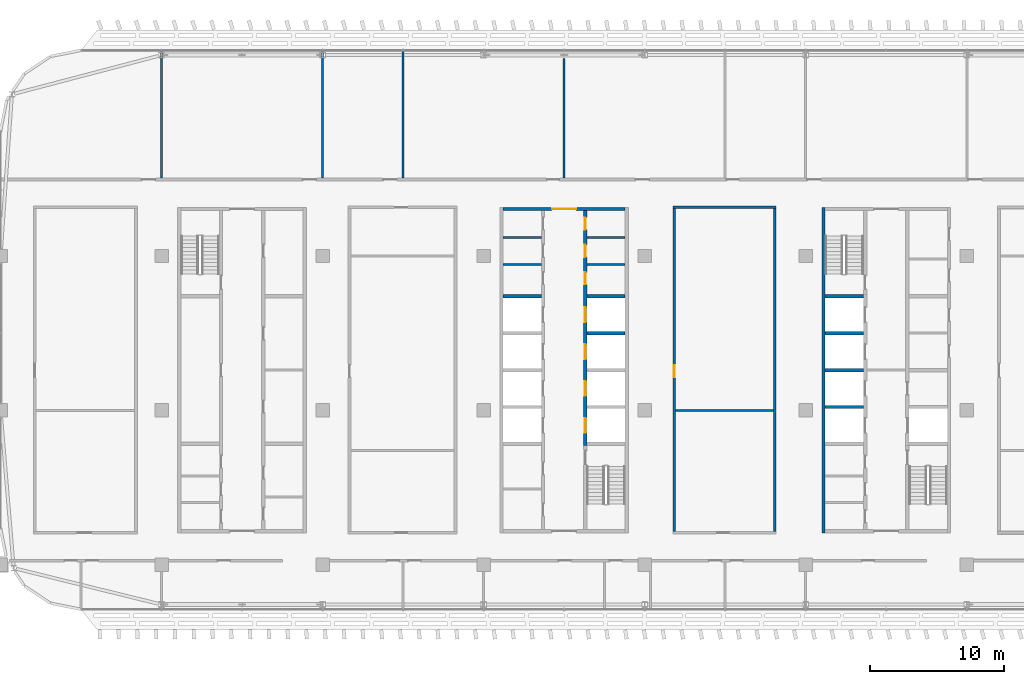
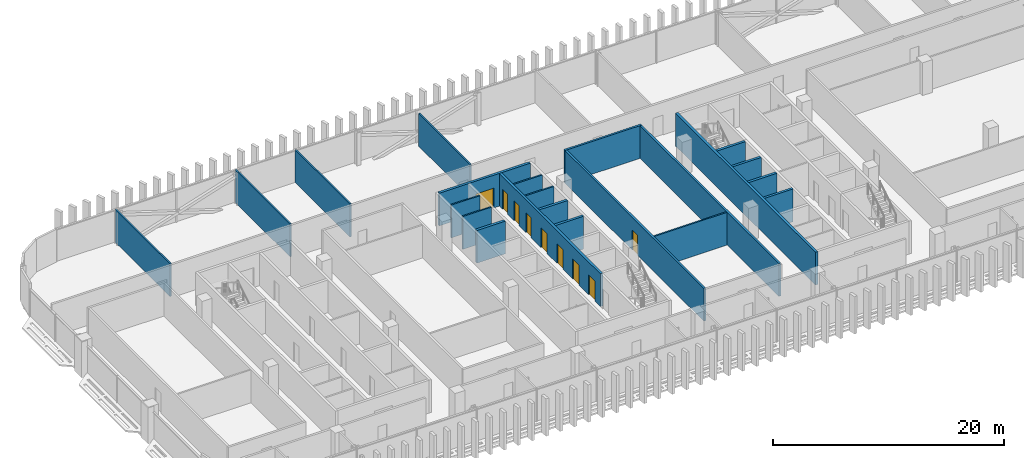
# One storey, part 19 of 35: 22 walls, 9 doors, 9 openings.
"""IFC4 building model written with IfcOpenShell, lengths in metres."""

import ifcopenshell
import ifcopenshell.guid

model = None  # the IFC model being written
_history = None  # IfcOwnerHistory: only IFC2X3 demands one
_inside = {}  # id of a spatial element -> (the spatial element, [elements in it])
_under = {}  # id of a project, library or spatial element -> (it, [spatial elements below it])
_declared = {}  # id of a project -> (the project, [libraries it declares])
_typed = {}  # id of a type object -> (the type object, [elements of that type])
_made_of = {}  # id of a material, layer set ... -> (it, [elements and type objects made of it])


def new_model(schema):
    """Start an empty IFC model of exactly this schema.

    Asked for "IFC4X3", IfcOpenShell would pick the latest addendum, in which some entities
    have other attributes; the version numbers below select the first issue.
    IFC2X3 requires an IfcOwnerHistory on every rooted entity: one is made here for all.
    """
    global model, _history
    if schema == "IFC4X3":
        model = ifcopenshell.file(schema_version=(4, 3, 0, 0))
    else:
        model = ifcopenshell.file(schema=schema)
    _inside.clear()
    _under.clear()
    _declared.clear()
    _typed.clear()
    _made_of.clear()
    _history = None
    if model.schema == "IFC2X3":
        org = make("IfcOrganization", Name="unknown")
        user = make(
            "IfcPersonAndOrganization",
            ThePerson=make("IfcPerson", FamilyName="unknown"),
            TheOrganization=org,
        )
        app = make(
            "IfcApplication",
            ApplicationDeveloper=org,
            Version="unknown",
            ApplicationFullName="unknown",
            ApplicationIdentifier="unknown",
        )
        _history = make(
            "IfcOwnerHistory",
            OwningUser=user,
            OwningApplication=app,
            ChangeAction="ADDED",
            CreationDate=0,
        )
    return model


def make(cls, **values):
    """One entity of the class cls with the attributes given. An attribute that is None is left unset."""
    return model.create_entity(
        cls, **{name: value for name, value in values.items() if value is not None}
    )


def rooted(cls, **values):
    """An entity with a GlobalId (a new one), such as an element, a storey or a relation."""
    return make(cls, GlobalId=ifcopenshell.guid.new(), OwnerHistory=_history, **values)


def si_unit(unit_type, name, prefix=None):
    """IfcSIUnit, for example si_unit("LENGTHUNIT", "METRE", prefix="MILLI")."""
    return make("IfcSIUnit", UnitType=unit_type, Prefix=prefix, Name=name)


def assignment(units):
    """IfcUnitAssignment: the units of a project."""
    return None if units is None else make("IfcUnitAssignment", Units=units)


def point(xyz):
    """IfcCartesianPoint."""
    return None if xyz is None else make("IfcCartesianPoint", Coordinates=xyz)


def direction(xyz):
    """IfcDirection."""
    return None if xyz is None else make("IfcDirection", DirectionRatios=xyz)


def frame(location, z_axis=None, x_axis=None):
    """IfcAxis2Placement3D, a coordinate frame: its origin and axes. An axis left out is left unset."""
    return make(
        "IfcAxis2Placement3D",
        Location=point(location),
        Axis=direction(z_axis),
        RefDirection=direction(x_axis),
    )


def frame_2d(location, x_axis=None):
    """IfcAxis2Placement2D, a coordinate frame in the plane: its origin and x axis."""
    return make(
        "IfcAxis2Placement2D", Location=point(location), RefDirection=direction(x_axis)
    )


def origin():
    """The frame at (0, 0, 0) with its axes left unset."""
    return frame((0.0, 0.0, 0.0))


def place(relative_to, where):
    """IfcLocalPlacement: puts the frame where relative to a parent placement (None: the world)."""
    return make(
        "IfcLocalPlacement", PlacementRelTo=relative_to, RelativePlacement=where
    )


def context(
    kind, dimensions, precision=None, world=None, true_north=None, identifier=None
):
    """IfcGeometricRepresentationContext, for example the 3D "Model" context."""
    return make(
        "IfcGeometricRepresentationContext",
        ContextIdentifier=identifier,
        ContextType=kind,
        CoordinateSpaceDimension=dimensions,
        Precision=precision,
        WorldCoordinateSystem=world,
        TrueNorth=true_north,
    )


def subcontext(parent, identifier, kind, view, scale=None):
    """IfcGeometricRepresentationSubContext, for example "Body" below "Model"."""
    return make(
        "IfcGeometricRepresentationSubContext",
        ContextIdentifier=identifier,
        ContextType=kind,
        ParentContext=parent,
        TargetScale=scale,
        TargetView=view,
    )


def project(units=None, contexts=None):
    """IfcProject with its units and contexts."""
    return rooted(
        "IfcProject",
        Name="project",
        RepresentationContexts=contexts,
        UnitsInContext=assignment(units),
    )


def spatial(cls, under=None, at=None, **own):
    """A site, building, storey or space (cls), placed at a placement, below another one or the project."""
    s = rooted(cls, ObjectPlacement=at, **own)
    if under is not None:
        _under.setdefault(under.id(), (under, []))[1].append(s)
    return s


def profile(cls, at=None, kind="AREA", **sizes):
    """A parametric profile (cls). Its sizes go by their IFC names, for example OverallWidth=200.0."""
    return make(cls, ProfileType=kind, Position=at, **sizes)


def rectangle(**sizes):
    """IfcRectangleProfileDef."""
    return profile("IfcRectangleProfileDef", **sizes)


def extrude(swept, where, along, depth):
    """IfcExtrudedAreaSolid: the profile swept, set in the frame where, extruded along a direction by depth."""
    return make(
        "IfcExtrudedAreaSolid",
        SweptArea=swept,
        Position=where,
        ExtrudedDirection=direction(along),
        Depth=depth,
    )


def shape(context_of_items, identifier, shape_type, items):
    """IfcShapeRepresentation: the items that make up one representation, for example the "Body"."""
    return make(
        "IfcShapeRepresentation",
        ContextOfItems=context_of_items,
        RepresentationIdentifier=identifier,
        RepresentationType=shape_type,
        Items=items,
    )


def material(Name=None, Category=None):
    """IfcMaterial."""
    return make("IfcMaterial", Name=Name, Category=Category)


def layer(
    of_material, thickness, ventilated=None, Name=None, Category=None, Priority=None
):
    """IfcMaterialLayer: one layer of a wall or slab, of a material (None: an air gap)."""
    return make(
        "IfcMaterialLayer",
        Material=of_material,
        LayerThickness=thickness,
        IsVentilated=ventilated,
        Name=Name,
        Category=Category,
        Priority=Priority,
    )


def layer_set(layers, Name=None):
    """IfcMaterialLayerSet."""
    return make("IfcMaterialLayerSet", MaterialLayers=layers, LayerSetName=Name)


def made_of(thing, what):
    """Note that an element or type object is made of a material, layer set ...; save() writes the relation."""
    if what is not None:
        _made_of.setdefault(what.id(), (what, []))[1].append(thing)
    return thing


def type_object(cls, material=None, **own):
    """A type object (cls), such as IfcWallType, which elements share."""
    return made_of(rooted(cls, **own), material)


def element(
    cls,
    number,
    at=None,
    inside=None,
    cuts=None,
    type_object=None,
    material=None,
    context=None,
    identifier="Body",
    shape_type=None,
    held_by="IfcProductDefinitionShape",
    body=None,
    shapes=None,
    **own,
):
    """One element of the class cls, such as IfcWall. Its Tag is "e" and its number.

    at: its placement. inside: the storey or other place that contains it. cuts: it is an
    opening in that element (IfcRelVoidsElement). A single representation is given by context,
    identifier, shape_type and body (its items); several are given by shapes. held_by: the class
    of the entity that holds the representations. save() writes the other relations.
    """
    e = rooted(cls, Tag="e%d" % number, ObjectPlacement=at, **own)
    if body is not None:
        shapes = [shape(context, identifier, shape_type, body)]
    if shapes is not None:
        e.Representation = make(held_by, Representations=shapes)
    if inside is not None:
        _inside.setdefault(inside.id(), (inside, []))[1].append(e)
    if cuts is not None:
        rooted(
            "IfcRelVoidsElement", RelatingBuildingElement=cuts, RelatedOpeningElement=e
        )
    if type_object is not None:
        _typed.setdefault(type_object.id(), (type_object, []))[1].append(e)
    return made_of(e, material)


def fill(opening, filler):
    """IfcRelFillsElement: the door or window that sits in an opening."""
    return rooted(
        "IfcRelFillsElement",
        RelatingOpeningElement=opening,
        RelatedBuildingElement=filler,
    )


def aggregate(whole, parts):
    """IfcRelAggregates: a whole, such as a stair, and the parts it consists of."""
    return rooted("IfcRelAggregates", RelatingObject=whole, RelatedObjects=parts)


def save(model, path):
    """Write the relations noted so far, then the file.

    IfcRelAggregates (storeys below a building ...), IfcRelContainedInSpatialStructure (elements
    in a storey), IfcRelDefinesByType, IfcRelAssociatesMaterial and IfcRelDeclares: one each for
    every whole, place, type object, material and project.
    """
    for whole, parts in _under.values():
        aggregate(whole, parts)
    for where, things in _inside.values():
        rooted(
            "IfcRelContainedInSpatialStructure",
            RelatedElements=things,
            RelatingStructure=where,
        )
    for kind, things in _typed.values():
        rooted("IfcRelDefinesByType", RelatedObjects=things, RelatingType=kind)
    for what, things in _made_of.values():
        rooted("IfcRelAssociatesMaterial", RelatedObjects=things, RelatingMaterial=what)
    for by, libraries in _declared.values():
        rooted("IfcRelDeclares", RelatingContext=by, RelatedDefinitions=libraries)
    model.write(path)


model = new_model("IFC4")

# Units and contexts
model_context = context("Model", 3, precision=1e-05, world=origin(), true_north=direction((0.0, 1.0)))
body_context = subcontext(model_context, "Body", "Model", "MODEL_VIEW")
ifc_project = project(units=[si_unit("LENGTHUNIT", "METRE"), si_unit("AREAUNIT", "SQUARE_METRE"), si_unit("VOLUMEUNIT", "CUBIC_METRE"), si_unit("PLANEANGLEUNIT", "RADIAN"), si_unit("MASSUNIT", "GRAM", prefix="KILO")], contexts=[model_context])

# Site, building, storey
site_placement = place(None, origin())
site = spatial("IfcSite", under=ifc_project, at=site_placement, CompositionType="ELEMENT")
building_placement = place(site_placement, origin())
building = spatial("IfcBuilding", under=site, at=building_placement, Name="Mahtab Terrace Research Tower", CompositionType="ELEMENT")
storey_placement = place(building_placement, frame((0.0, 0.0, 251.39990234375)))
storey = spatial("IfcBuildingStorey", under=building, at=storey_placement, Name="L61", CompositionType="ELEMENT", Elevation=251.39990234375)

# Walls
ifc_material_1 = material(Name="Gypsum board partition")
ifc_layer_1 = layer(ifc_material_1, 0.14990234375)
ifc_layer_set_1 = layer_set([ifc_layer_1], Name="Core partition 150")
wall_type_1 = type_object("IfcWallType", Name="Core partition 150", PredefinedType="PARTITIONING", material=ifc_layer_set_1)
for number, where, z_axis, x_axis, name in (
    (1, (-4.550048828125, 10.875, 0.0), (0.0, 0.0, 1.0), (1.0, 0.0, 0.0), "Core wall B pWN788"),
    (2, (-4.550048828125, 12.875, 0.0), (0.0, 0.0, 1.0), (1.0, 0.0, 0.0), "Core wall B pWN988"),
    (3, (1.699951171875, 10.875, 0.0), (0.0, 0.0, 1.0), (1.0, 0.0, 0.0), "Core wall B pEN788"),
    (4, (1.699951171875, 12.875, 0.0), (0.0, 0.0, 1.0), (1.0, 0.0, 0.0), "Core wall B pEN988"),
):
    element("IfcWall", number, at=place(storey_placement, frame(where, z_axis=z_axis, x_axis=x_axis)), inside=storey, type_object=wall_type_1, Name=name, PredefinedType="PARTITIONING", context=body_context, shape_type="SweptSolid", body=[
        extrude(rectangle(XDim=2.85009765625, YDim=0.14990234375, at=frame_2d((1.425048828125, 0.0))), origin(), (0.0, 0.0, 1.0), 3.460205078125),
    ])

# Wall, opening, door
ifc_material_2 = material(Name="Concrete C70/85", Category="concrete")
ifc_layer_2 = layer(ifc_material_2, 0.25)
ifc_layer_set_2 = layer_set([ifc_layer_2], Name="Core wall 250")
wall_type_2 = type_object("IfcWallType", Name="Core wall 250", PredefinedType="SOLIDWALL", material=ifc_layer_set_2)
wall_1_placement = place(storey_placement, frame((-4.550048828125, 15.0, 0.0), z_axis=(0.0, 0.0, 1.0), x_axis=(1.0, 0.0, 0.0)))
wall_1 = element("IfcWall", 5, at=wall_1_placement, inside=storey, type_object=wall_type_2, Name="Core wall B endN", PredefinedType="SOLIDWALL", context=body_context, shape_type="SweptSolid", body=[
    extrude(rectangle(XDim=9.10009765625, YDim=0.25, at=frame_2d((4.550048828125, 0.0))), origin(), (0.0, 0.0, 1.0), 3.460205078125),
])
opening_1_placement = place(wall_1_placement, frame((3.64990234375, 0.0, 0.0)))
opening_1 = element("IfcOpeningElement", 6, at=opening_1_placement, cuts=wall_1, Name="Opening B-N1", PredefinedType="OPENING", context=body_context, shape_type="SweptSolid", body=[
    extrude(rectangle(XDim=1.800048828125, YDim=2.10009765625, at=frame_2d((0.89990234375, 1.050048828125))), frame((0.0, 0.135009765625, 0.0), z_axis=(0.0, -1.0, 0.0), x_axis=(1.0, 0.0, 0.0)), (0.0, 0.0, 1.0), 0.27001953125),
])
ifc_material_3 = material(Name="Steel fire door", Category="steel")
door_type_1 = type_object("IfcDoorType", Name="Lobby double door 1800x2100 1 HR", OperationType="DOUBLE_DOOR_SINGLE_SWING", PredefinedType="DOOR", material=ifc_material_3)
door_1_placement = place(opening_1_placement, origin())
door_1 = element("IfcDoor", 7, at=door_1_placement, inside=storey, type_object=door_type_1, Name="Core entrance door B N", OperationType="DOUBLE_DOOR_SINGLE_SWING", OverallHeight=2.10009765625, OverallWidth=1.800048828125, PredefinedType="DOOR", context=body_context, shape_type="SweptSolid", body=[
    extrude(rectangle(XDim=1.800048828125, YDim=2.10009765625, at=frame_2d((0.89990234375, 1.050048828125))), frame((0.0, 0.02490234375, 0.0), z_axis=(0.0, -1.0, 0.0), x_axis=(1.0, 0.0, 0.0)), (0.0, 0.0, 1.0), 0.050048828125),
])
fill(opening_1, door_1)

# Wall, openings, doors
wall_2_placement = place(storey_placement, frame((1.574951171875, 14.875, 0.0), z_axis=(0.0, 0.0, 1.0), x_axis=(0.0, -1.0, 0.0)))
wall_2 = element("IfcWall", 8, at=wall_2_placement, inside=storey, type_object=wall_type_2, Name="Core wall B innerELN", PredefinedType="SOLIDWALL", context=body_context, shape_type="SweptSolid", body=[
    extrude(rectangle(XDim=17.5, YDim=0.25, at=frame_2d((8.75, 0.0))), origin(), (0.0, 0.0, 1.0), 3.460205078125),
])
opening_2_placement = place(wall_2_placement, frame((15.449951171875, 0.0, 0.0)))
opening_2 = element("IfcOpeningElement", 9, at=opening_2_placement, cuts=wall_2, Name="Opening LD13-L61", PredefinedType="OPENING", context=body_context, shape_type="SweptSolid", body=[
    extrude(rectangle(XDim=1.10009765625, YDim=2.10009765625, at=frame_2d((0.550048828125, 1.050048828125))), frame((0.0, 0.135009765625, 0.0), z_axis=(0.0, -1.0, 0.0), x_axis=(1.0, 0.0, 0.0)), (0.0, 0.0, 1.0), 0.27001953125),
])
opening_3_placement = place(wall_2_placement, frame((12.699951171875, 0.0, 0.0)))
opening_3 = element("IfcOpeningElement", 10, at=opening_3_placement, cuts=wall_2, Name="Opening LD14-L61", PredefinedType="OPENING", context=body_context, shape_type="SweptSolid", body=[
    extrude(rectangle(XDim=1.10009765625, YDim=2.10009765625, at=frame_2d((0.550048828125, 1.050048828125))), frame((0.0, 0.135009765625, 0.0), z_axis=(0.0, -1.0, 0.0), x_axis=(1.0, 0.0, 0.0)), (0.0, 0.0, 1.0), 0.27001953125),
])
opening_4_placement = place(wall_2_placement, frame((9.949951171875, 0.0, 0.0)))
opening_4 = element("IfcOpeningElement", 11, at=opening_4_placement, cuts=wall_2, Name="Opening LD15-L61", PredefinedType="OPENING", context=body_context, shape_type="SweptSolid", body=[
    extrude(rectangle(XDim=1.10009765625, YDim=2.10009765625, at=frame_2d((0.550048828125, 1.050048828125))), frame((0.0, 0.135009765625, 0.0), z_axis=(0.0, -1.0, 0.0), x_axis=(1.0, 0.0, 0.0)), (0.0, 0.0, 1.0), 0.27001953125),
])
opening_5_placement = place(wall_2_placement, frame((7.199951171875, 0.0, 0.0)))
opening_5 = element("IfcOpeningElement", 12, at=opening_5_placement, cuts=wall_2, Name="Opening LD16-L61", PredefinedType="OPENING", context=body_context, shape_type="SweptSolid", body=[
    extrude(rectangle(XDim=1.10009765625, YDim=2.10009765625, at=frame_2d((0.550048828125, 1.050048828125))), frame((0.0, 0.135009765625, 0.0), z_axis=(0.0, -1.0, 0.0), x_axis=(1.0, 0.0, 0.0)), (0.0, 0.0, 1.0), 0.27001953125),
])
opening_6_placement = place(wall_2_placement, frame((4.58740234375, 0.0, 0.0)))
opening_6 = element("IfcOpeningElement", 13, at=opening_6_placement, cuts=wall_2, Name="Opening B-R6", PredefinedType="OPENING", context=body_context, shape_type="SweptSolid", body=[
    extrude(rectangle(XDim=0.89990234375, YDim=2.10009765625, at=frame_2d((0.449951171875, 1.050048828125))), frame((0.0, 0.135009765625, 0.0), z_axis=(0.0, -1.0, 0.0), x_axis=(1.0, 0.0, 0.0)), (0.0, 0.0, 1.0), 0.27001953125),
])
opening_7_placement = place(wall_2_placement, frame((2.550048828125, 0.0, 0.0)))
opening_7 = element("IfcOpeningElement", 14, at=opening_7_placement, cuts=wall_2, Name="Opening B-R7", PredefinedType="OPENING", context=body_context, shape_type="SweptSolid", body=[
    extrude(rectangle(XDim=0.89990234375, YDim=2.10009765625, at=frame_2d((0.449951171875, 1.050048828125))), frame((0.0, 0.135009765625, 0.0), z_axis=(0.0, -1.0, 0.0), x_axis=(1.0, 0.0, 0.0)), (0.0, 0.0, 1.0), 0.27001953125),
])
opening_8_placement = place(wall_2_placement, frame((0.512451171875, 0.0, 0.0)))
opening_8 = element("IfcOpeningElement", 15, at=opening_8_placement, cuts=wall_2, Name="Opening B-R8", PredefinedType="OPENING", context=body_context, shape_type="SweptSolid", body=[
    extrude(rectangle(XDim=0.89990234375, YDim=2.10009765625, at=frame_2d((0.449951171875, 1.050048828125))), frame((0.0, 0.135009765625, 0.0), z_axis=(0.0, -1.0, 0.0), x_axis=(1.0, 0.0, 0.0)), (0.0, 0.0, 1.0), 0.27001953125),
])
ifc_material_4 = material(Name="Stainless steel AISI 304", Category="steel")
door_type_2 = type_object("IfcDoorType", Name="Landing door 1100x2100", OperationType="DOUBLE_DOOR_SLIDING", PredefinedType="DOOR", material=ifc_material_4)
door_2_placement = place(opening_2_placement, origin())
door_2 = element("IfcDoor", 16, at=door_2_placement, inside=storey, type_object=door_type_2, Name="Landing door HR5 L61", OperationType="DOUBLE_DOOR_SLIDING", OverallHeight=2.10009765625, OverallWidth=1.10009765625, PredefinedType="DOOR", context=body_context, shape_type="SweptSolid", body=[
    extrude(rectangle(XDim=1.10009765625, YDim=2.10009765625, at=frame_2d((0.550048828125, 1.050048828125))), frame((0.0, 0.02490234375, 0.0), z_axis=(0.0, -1.0, 0.0), x_axis=(1.0, 0.0, 0.0)), (0.0, 0.0, 1.0), 0.050048828125),
])
fill(opening_2, door_2)
door_3_placement = place(opening_3_placement, origin())
door_3 = element("IfcDoor", 17, at=door_3_placement, inside=storey, type_object=door_type_2, Name="Landing door HR6 L61", OperationType="DOUBLE_DOOR_SLIDING", OverallHeight=2.10009765625, OverallWidth=1.10009765625, PredefinedType="DOOR", context=body_context, shape_type="SweptSolid", body=[
    extrude(rectangle(XDim=1.10009765625, YDim=2.10009765625, at=frame_2d((0.550048828125, 1.050048828125))), frame((0.0, 0.02490234375, 0.0), z_axis=(0.0, -1.0, 0.0), x_axis=(1.0, 0.0, 0.0)), (0.0, 0.0, 1.0), 0.050048828125),
])
fill(opening_3, door_3)
door_4_placement = place(opening_4_placement, origin())
door_4 = element("IfcDoor", 18, at=door_4_placement, inside=storey, type_object=door_type_2, Name="Landing door HR7 L61", OperationType="DOUBLE_DOOR_SLIDING", OverallHeight=2.10009765625, OverallWidth=1.10009765625, PredefinedType="DOOR", context=body_context, shape_type="SweptSolid", body=[
    extrude(rectangle(XDim=1.10009765625, YDim=2.10009765625, at=frame_2d((0.550048828125, 1.050048828125))), frame((0.0, 0.02490234375, 0.0), z_axis=(0.0, -1.0, 0.0), x_axis=(1.0, 0.0, 0.0)), (0.0, 0.0, 1.0), 0.050048828125),
])
fill(opening_4, door_4)
door_5_placement = place(opening_5_placement, origin())
door_5 = element("IfcDoor", 19, at=door_5_placement, inside=storey, type_object=door_type_2, Name="Landing door HR8 L61", OperationType="DOUBLE_DOOR_SLIDING", OverallHeight=2.10009765625, OverallWidth=1.10009765625, PredefinedType="DOOR", context=body_context, shape_type="SweptSolid", body=[
    extrude(rectangle(XDim=1.10009765625, YDim=2.10009765625, at=frame_2d((0.550048828125, 1.050048828125))), frame((0.0, 0.02490234375, 0.0), z_axis=(0.0, -1.0, 0.0), x_axis=(1.0, 0.0, 0.0)), (0.0, 0.0, 1.0), 0.050048828125),
])
fill(opening_5, door_5)
door_type_3 = type_object("IfcDoorType", Name="Room door 900x2100 1 HR", OperationType="NOTDEFINED", PredefinedType="DOOR", material=ifc_material_3)
door_6_placement = place(opening_6_placement, origin())
door_6 = element("IfcDoor", 20, at=door_6_placement, inside=storey, type_object=door_type_3, Name="Male WC door", OperationType="SINGLE_SWING_RIGHT", OverallHeight=2.10009765625, OverallWidth=0.89990234375, PredefinedType="DOOR", context=body_context, shape_type="SweptSolid", body=[
    extrude(rectangle(XDim=0.89990234375, YDim=2.10009765625, at=frame_2d((0.449951171875, 1.050048828125))), frame((0.0, 0.02490234375, 0.0), z_axis=(0.0, -1.0, 0.0), x_axis=(1.0, 0.0, 0.0)), (0.0, 0.0, 1.0), 0.050048828125),
])
fill(opening_6, door_6)
door_7_placement = place(opening_7_placement, origin())
door_7 = element("IfcDoor", 21, at=door_7_placement, inside=storey, type_object=door_type_3, Name="Female WC door", OperationType="SINGLE_SWING_LEFT", OverallHeight=2.10009765625, OverallWidth=0.89990234375, PredefinedType="DOOR", context=body_context, shape_type="SweptSolid", body=[
    extrude(rectangle(XDim=0.89990234375, YDim=2.10009765625, at=frame_2d((0.449951171875, 1.050048828125))), frame((0.0, 0.02490234375, 0.0), z_axis=(0.0, -1.0, 0.0), x_axis=(1.0, 0.0, 0.0)), (0.0, 0.0, 1.0), 0.050048828125),
])
fill(opening_7, door_7)
door_8_placement = place(opening_8_placement, origin())
door_8 = element("IfcDoor", 22, at=door_8_placement, inside=storey, type_object=door_type_3, Name="Accessible WC door", OperationType="SINGLE_SWING_RIGHT", OverallHeight=2.10009765625, OverallWidth=0.89990234375, PredefinedType="DOOR", context=body_context, shape_type="SweptSolid", body=[
    extrude(rectangle(XDim=0.89990234375, YDim=2.10009765625, at=frame_2d((0.449951171875, 1.050048828125))), frame((0.0, 0.02490234375, 0.0), z_axis=(0.0, -1.0, 0.0), x_axis=(1.0, 0.0, 0.0)), (0.0, 0.0, 1.0), 0.050048828125),
])
fill(opening_8, door_8)

# Walls
for number, where, z_axis, x_axis, name in (
    (23, (-4.550048828125, 8.5, 0.0), (0.0, 0.0, 1.0), (1.0, 0.0, 0.0), "Core wall B divW4"),
    (24, (1.699951171875, 5.75, 0.0), (0.0, 0.0, 1.0), (1.0, 0.0, 0.0), "Core wall B divE3"),
    (25, (1.699951171875, 8.5, 0.0), (0.0, 0.0, 1.0), (1.0, 0.0, 0.0), "Core wall B divE4"),
):
    element("IfcWall", number, at=place(storey_placement, frame(where, z_axis=z_axis, x_axis=x_axis)), inside=storey, type_object=wall_type_2, Name=name, PredefinedType="SOLIDWALL", context=body_context, shape_type="SweptSolid", body=[
        extrude(rectangle(XDim=2.85009765625, YDim=0.25, at=frame_2d((1.425048828125, 0.0))), origin(), (0.0, 0.0, 1.0), 3.460205078125),
    ])
wall_3_placement = place(storey_placement, frame((19.324951171875, 15.125, 0.0), z_axis=(0.0, 0.0, 1.0), x_axis=(0.0, -1.0, 0.0)))
element("IfcWall", 26, at=wall_3_placement, inside=storey, type_object=wall_type_2, Name="Core wall C outerW", PredefinedType="SOLIDWALL", context=body_context, shape_type="SweptSolid", body=[
    extrude(rectangle(XDim=24.25, YDim=0.25, at=frame_2d((12.125, 0.0))), origin(), (0.0, 0.0, 1.0), 3.460205078125),
])
for number, where, z_axis, x_axis, name in (
    (27, (19.449951171875, 0.25, 0.0), (0.0, 0.0, 1.0), (1.0, 0.0, 0.0), "Core wall C divW1"),
    (28, (19.449951171875, 3.0, 0.0), (0.0, 0.0, 1.0), (1.0, 0.0, 0.0), "Core wall C divW2"),
    (29, (19.449951171875, 5.75, 0.0), (0.0, 0.0, 1.0), (1.0, 0.0, 0.0), "Core wall C divW3"),
    (30, (19.449951171875, 8.5, 0.0), (0.0, 0.0, 1.0), (1.0, 0.0, 0.0), "Core wall C divW4"),
):
    element("IfcWall", number, at=place(storey_placement, frame(where, z_axis=z_axis, x_axis=x_axis)), inside=storey, type_object=wall_type_2, Name=name, PredefinedType="SOLIDWALL", context=body_context, shape_type="SweptSolid", body=[
        extrude(rectangle(XDim=2.85009765625, YDim=0.25, at=frame_2d((1.425048828125, 0.0))), origin(), (0.0, 0.0, 1.0), 3.460205078125),
    ])
ifc_material_5 = material(Name="Gypsum board corridor wall on steel studs", Category="steel")
ifc_layer_3 = layer(ifc_material_5, 0.199951171875)
ifc_layer_set_3 = layer_set([ifc_layer_3], Name="WALL CORRIDOR 200")
wall_type_3 = type_object("IfcWallType", Name="WALL CORRIDOR 200", PredefinedType="PARTITIONING", material=ifc_layer_set_3)
wall_4_placement = place(storey_placement, frame((8.10009765625, 15.125, 0.0), z_axis=(0.0, 0.0, 1.0), x_axis=(1.0, 0.0, 0.0)))
element("IfcWall", 31, at=wall_4_placement, inside=storey, type_object=wall_type_3, Name="L61-W022", PredefinedType="PARTITIONING", context=body_context, shape_type="SweptSolid", body=[
    extrude(rectangle(XDim=7.699951171875, YDim=0.199951171875, at=frame_2d((3.85009765625, 0.0))), origin(), (0.0, 0.0, 1.0), 3.460205078125),
])

# Wall, opening, door
wall_5_placement = place(storey_placement, frame((8.199951171875, -9.02490234375, 0.0), z_axis=(0.0, 0.0, 1.0), x_axis=(0.0, 1.0, 0.0)))
wall_5 = element("IfcWall", 32, at=wall_5_placement, inside=storey, type_object=wall_type_3, Name="L61-W039", PredefinedType="PARTITIONING", context=body_context, shape_type="SweptSolid", body=[
    extrude(rectangle(XDim=24.0498046875, YDim=0.199951171875, at=frame_2d((12.02490234375, 0.0))), origin(), (0.0, 0.0, 1.0), 3.460205078125),
])
opening_9_placement = place(wall_5_placement, frame((11.5, 0.0, 0.0)))
opening_9 = element("IfcOpeningElement", 33, at=opening_9_placement, cuts=wall_5, Name="Opening L61-121", PredefinedType="OPENING", context=body_context, shape_type="SweptSolid", body=[
    extrude(rectangle(XDim=0.89990234375, YDim=2.10009765625, at=frame_2d((0.449951171875, 1.050048828125))), frame((0.0, 0.10986328125, 0.0), z_axis=(0.0, -1.0, 0.0), x_axis=(1.0, 0.0, 0.0)), (0.0, 0.0, 1.0), 0.219970703125),
])
ifc_material_6 = material(Name="Timber door leaf in steel frame", Category="steel")
door_type_4 = type_object("IfcDoorType", Name="DOOR 0900X2100 FD30S", OperationType="SINGLE_SWING_LEFT", PredefinedType="DOOR", material=ifc_material_6)
door_9_placement = place(opening_9_placement, origin())
door_9 = element("IfcDoor", 34, at=door_9_placement, inside=storey, type_object=door_type_4, Name="Door L61-121", OperationType="SINGLE_SWING_RIGHT", OverallHeight=2.10009765625, OverallWidth=0.89990234375, PredefinedType="DOOR", context=body_context, shape_type="SweptSolid", body=[
    extrude(rectangle(XDim=0.89990234375, YDim=2.10009765625, at=frame_2d((0.449951171875, 1.050048828125))), frame((0.0, 0.02490234375, 0.0), z_axis=(0.0, -1.0, 0.0), x_axis=(1.0, 0.0, 0.0)), (0.0, 0.0, 1.0), 0.050048828125),
])
fill(opening_9, door_9)

# Walls
wall_6_placement = place(storey_placement, frame((15.699951171875, -9.02490234375, 0.0), z_axis=(0.0, 0.0, 1.0), x_axis=(0.0, 1.0, 0.0)))
element("IfcWall", 35, at=wall_6_placement, inside=storey, type_object=wall_type_3, Name="L61-W042", PredefinedType="PARTITIONING", context=body_context, shape_type="SweptSolid", body=[
    extrude(rectangle(XDim=24.0498046875, YDim=0.199951171875, at=frame_2d((12.02490234375, 0.0))), origin(), (0.0, 0.0, 1.0), 3.460205078125),
])
ifc_material_7 = material(Name="Gypsum board partition on steel studs", Category="steel")
ifc_layer_4 = layer(ifc_material_7, 0.14990234375)
ifc_layer_set_4 = layer_set([ifc_layer_4], Name="WALL PARTITION 150")
wall_type_4 = type_object("IfcWallType", Name="WALL PARTITION 150", PredefinedType="PARTITIONING", material=ifc_layer_set_4)
wall_7_placement = place(storey_placement, frame((8.300048828125, 0.0, 0.0), z_axis=(0.0, 0.0, 1.0), x_axis=(1.0, 0.0, 0.0)))
element("IfcWall", 36, at=wall_7_placement, inside=storey, type_object=wall_type_4, Name="L61-W016", PredefinedType="PARTITIONING", context=body_context, shape_type="SweptSolid", body=[
    extrude(rectangle(XDim=7.300048828125, YDim=0.14990234375, at=frame_2d((3.64990234375, 0.0))), origin(), (0.0, 0.0, 1.0), 3.460205078125),
])
for number, where, z_axis, x_axis, name in (
    (37, (-30.0, 17.300048828125, 0.0), (0.0, 0.0, 1.0), (0.0, 1.0, 0.0), "L61-W029"),
    (38, (-18.0, 17.300048828125, 0.0), (0.0, 0.0, 1.0), (0.0, 1.0, 0.0), "L61-W030"),
    (39, (-12.0, 17.300048828125, 0.0), (0.0, 0.0, 1.0), (0.0, 1.0, 0.0), "L61-W033"),
):
    element("IfcWall", number, at=place(storey_placement, frame(where, z_axis=z_axis, x_axis=x_axis)), inside=storey, type_object=wall_type_4, Name=name, PredefinedType="PARTITIONING", context=body_context, shape_type="SweptSolid", body=[
        extrude(rectangle(XDim=9.509033203125, YDim=0.14990234375, at=frame_2d((4.75439453125, 0.0))), origin(), (0.0, 0.0, 1.0), 3.460205078125),
    ])
wall_8_placement = place(storey_placement, frame((0.0, 17.300048828125, 0.0), z_axis=(0.0, 0.0, 1.0), x_axis=(0.0, 1.0, 0.0)))
element("IfcWall", 40, at=wall_8_placement, inside=storey, type_object=wall_type_4, Name="L61-W036", PredefinedType="PARTITIONING", context=body_context, shape_type="SweptSolid", body=[
    extrude(rectangle(XDim=8.920654296875, YDim=0.14990234375, at=frame_2d((4.46044921875, 0.0))), origin(), (0.0, 0.0, 1.0), 3.460205078125),
])

save(model, "model.ifc")
